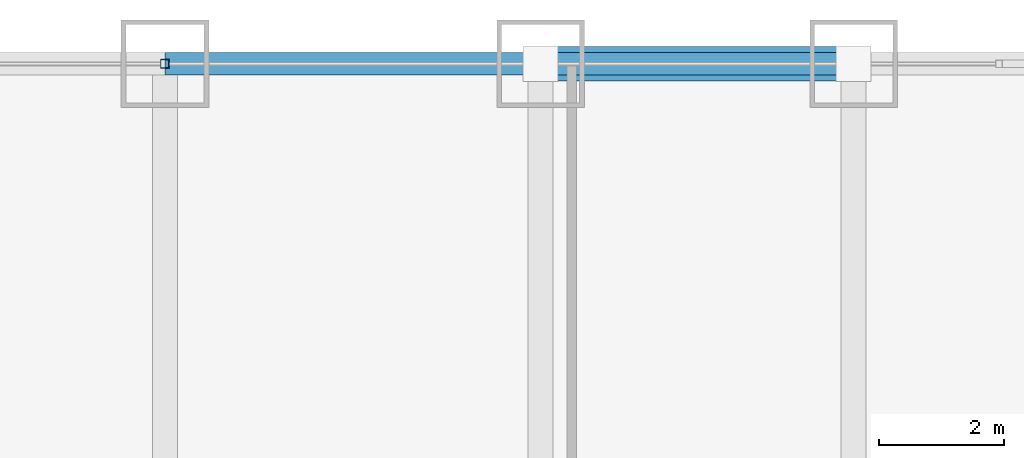
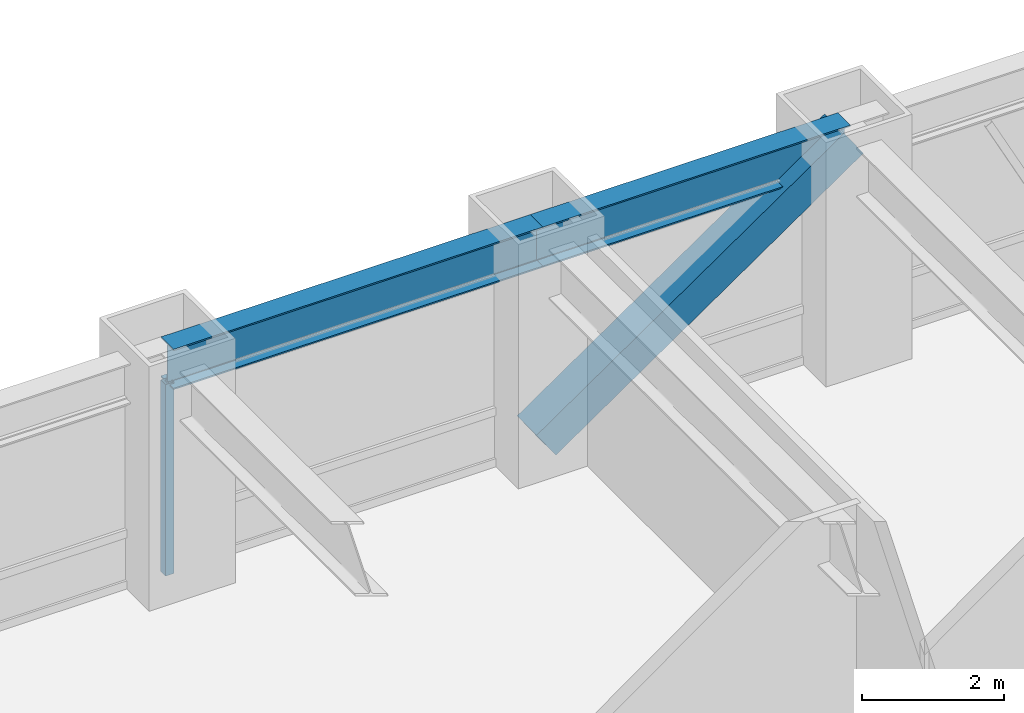
# One storey, part 19 of 28: 2 beams, 2 members, 1 element without a shape of its own.
"""IFC4 building model written with IfcOpenShell, lengths in metres."""

from ifc_helpers import new_model, si_unit, direction, frame, origin, origin_2d, place, context, subcontext, project, spatial, hollow_rectangle, i_section, extrude, source, transform, mapped, material, material_profile, profile_set, type_object, element, aggregate, save


model = new_model("IFC4")

# Units and contexts
model_context = context("Model", 3, precision=1e-05, world=origin(), true_north=direction((0.0, 1.0)))
body_context = subcontext(model_context, "Body", "Model", "MODEL_VIEW")
ifc_project = project(units=[si_unit("LENGTHUNIT", "METRE"), si_unit("AREAUNIT", "SQUARE_METRE"), si_unit("VOLUMEUNIT", "CUBIC_METRE"), si_unit("PLANEANGLEUNIT", "RADIAN"), si_unit("MASSUNIT", "GRAM", prefix="KILO")], contexts=[model_context])

# Site, building, storey
site_placement = place(None, origin())
site = spatial("IfcSite", under=ifc_project, at=site_placement, CompositionType="ELEMENT")
building_placement = place(site_placement, origin())
building = spatial("IfcBuilding", under=site, at=building_placement, Name="Khorayat Bourse Tower", CompositionType="ELEMENT")
storey_placement = place(building_placement, frame((0.0, 0.0, 83.0)))
storey = spatial("IfcBuildingStorey", under=building, at=storey_placement, Name="L18", CompositionType="ELEMENT", Elevation=83.0)

# Beams
ifc_material_1 = material(Name="Steel ASTM A992 Grade 50", Category="steel")
ifc_material_profile_1 = material_profile(ifc_material_1, i_section(OverallWidth=0.35498046875, OverallDepth=0.695068359375, WebThickness=0.015380859375, FlangeThickness=0.02490234375, FilletRadius=0.01806640625, at=origin_2d()), Name="W690X217")
ifc_profile_set_1 = profile_set([ifc_material_profile_1], Name="Steel ASTM A992 Grade 50")
beam_type = type_object("IfcBeamType", Name="BM-SPAN-690", PredefinedType="SPANDREL", material=ifc_profile_set_1)
shared_shape_1 = source(origin(), body_context, "Body", "SweptSolid", [
    extrude(i_section(OverallWidth=0.35498046875, OverallDepth=0.695068359375, WebThickness=0.015380859375, FlangeThickness=0.02490234375, FilletRadius=0.01806640625, at=origin_2d()), origin(), (0.0, 0.0, 1.0), 5.0),
])
beam_1_placement = place(storey_placement, frame((6.0, 32.0, 3.592529296875), z_axis=(1.0, 0.0, 0.0), x_axis=(0.0, 1.0, 0.0)))
element("IfcBeam", 1, at=beam_1_placement, inside=storey, type_object=beam_type, Name="L18 BM-SPAN-690 BM-L18-SPN-046", PredefinedType="SPANDREL", context=body_context, shape_type="MappedRepresentation", body=[
    mapped(shared_shape_1, transform((0.0, 0.0, 0.0), scale=1.0)),
])
shared_shape_2 = source(origin(), body_context, "Body", "SweptSolid", [
    extrude(i_section(OverallWidth=0.35498046875, OverallDepth=0.695068359375, WebThickness=0.015380859375, FlangeThickness=0.02490234375, FilletRadius=0.01806640625, at=origin_2d()), origin(), (0.0, 0.0, 1.0), 6.0),
])
beam_2_placement = place(storey_placement, frame((0.0, 32.0, 3.592529296875), z_axis=(1.0, 0.0, 0.0), x_axis=(0.0, 1.0, 0.0)))
element("IfcBeam", 2, at=beam_2_placement, inside=storey, type_object=beam_type, Name="L18 BM-SPAN-690 BM-L18-SPN-047", PredefinedType="SPANDREL", context=body_context, shape_type="MappedRepresentation", body=[
    mapped(shared_shape_2, transform((0.0, 0.0, 0.0), scale=1.0)),
])

# Member
ifc_material_2 = material(Name="Steel EN 10025-4 S460M", Category="steel")
ifc_material_profile_2 = material_profile(ifc_material_2, hollow_rectangle(XDim=0.550048828125, YDim=0.550048828125, WallThickness=0.031982421875, at=origin_2d()), Name="HSS 550x550x32")
ifc_profile_set_2 = profile_set([ifc_material_profile_2], Name="Steel EN 10025-4 S460M")
member_type_1 = type_object("IfcMemberType", Name="MBR-TUBE-550", PredefinedType="BRACE", material=ifc_profile_set_2)
shared_shape_3 = source(origin(), body_context, "Body", "SweptSolid", [
    extrude(hollow_rectangle(XDim=0.550048828125, YDim=0.550048828125, WallThickness=0.031982421875, at=origin_2d()), origin(), (0.0, 0.0, 1.0), 6.069091796875),
])
member_1_placement = place(storey_placement, frame((6.0, 32.0, 0.25), z_axis=(0.823854080622, 0.0, 0.566801952928), x_axis=(0.0, 1.0, 0.0)))
element("IfcMember", 3, at=member_1_placement, inside=storey, type_object=member_type_1, Name="L18 Perimeter Tube Brace 04", PredefinedType="BRACE", context=body_context, shape_type="MappedRepresentation", body=[
    mapped(shared_shape_3, transform((0.0, 0.0, 0.0), scale=1.0)),
])

# Curtain wall, member
ifc_material_3 = material(Name="Aluminium EN AW-6063 T6", Category="aluminium")
curtain_wall_type = type_object("IfcCurtainWallType", Name="CW-SYS-02", PredefinedType="NOTDEFINED", material=ifc_material_3)
curtain_wall_placement = place(storey_placement, origin())
curtain_wall = element("IfcCurtainWall", 4, at=curtain_wall_placement, inside=storey, type_object=curtain_wall_type, Name="L18 Curtain Wall CW-L18-N1", PredefinedType="NOTDEFINED")
ifc_material_profile_3 = material_profile(ifc_material_3, hollow_rectangle(XDim=0.139892578125, YDim=0.139892578125, WallThickness=0.006103515625, at=origin_2d()), Name="ALU 140x140x6")
ifc_profile_set_3 = profile_set([ifc_material_profile_3], Name="Aluminium EN AW-6063 T6")
member_type_2 = type_object("IfcMemberType", Name="CWM-VERT-140", PredefinedType="MULLION", material=ifc_profile_set_3)
shared_shape_4 = source(origin(), body_context, "Body", "SweptSolid", [
    extrude(hollow_rectangle(XDim=0.139892578125, YDim=0.139892578125, WallThickness=0.006103515625, at=origin_2d()), origin(), (0.0, 0.0, 1.0), 3.2900390625),
])
member_2_placement = place(storey_placement, frame((0.0, 32.0, 0.0), z_axis=(0.0, 0.0, 1.0), x_axis=(0.0, 1.0, 0.0)))
member_2 = element("IfcMember", 5, at=member_2_placement, type_object=member_type_2, Name="CW-L18-N1 Vertical Mullion 2", PredefinedType="MULLION", context=body_context, shape_type="MappedRepresentation", body=[
    mapped(shared_shape_4, transform((0.0, 0.0, 0.0), scale=1.0)),
])
aggregate(curtain_wall, [member_2])

save(model, "model.ifc")
